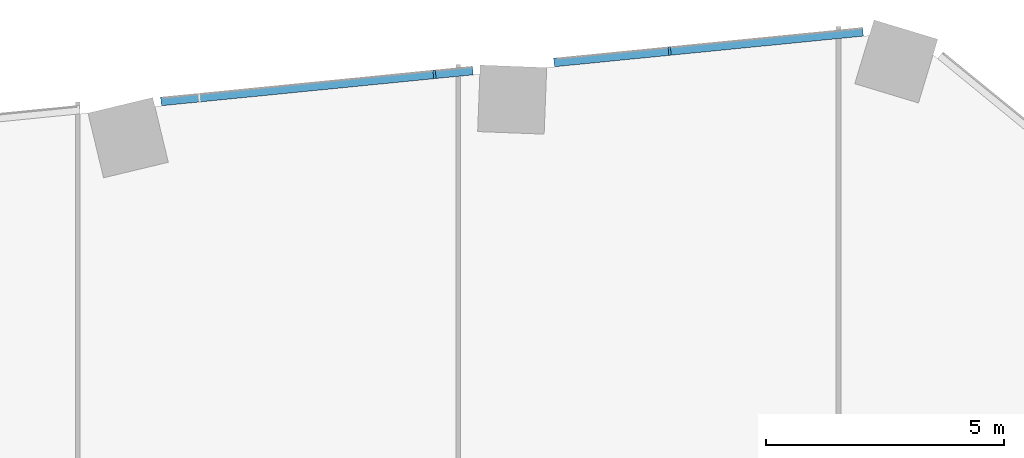
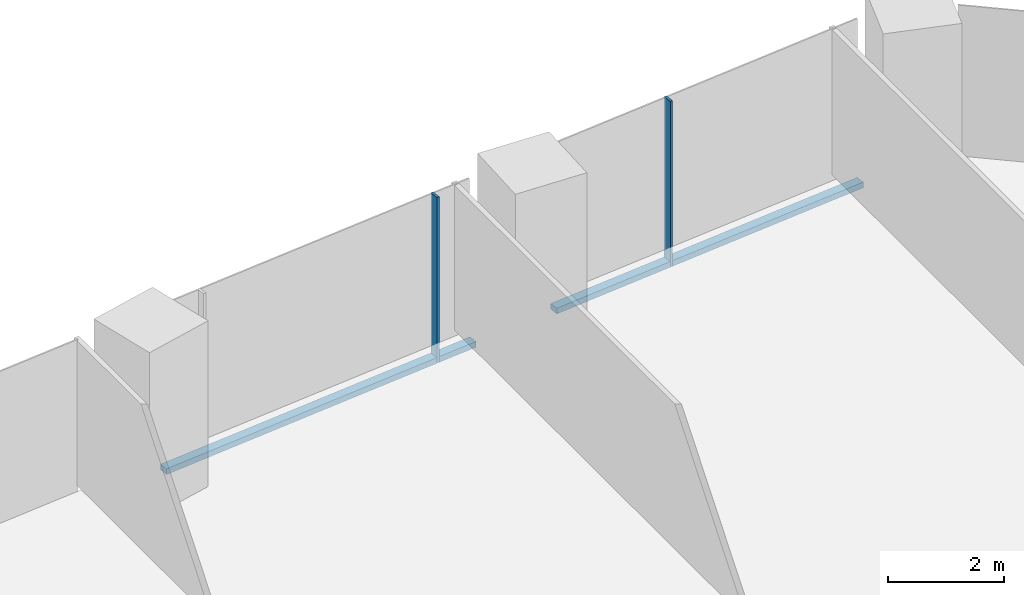
# One storey, part 13 of 34: 4 members, 1 element without a shape of its own.
"""IFC4 building model written with IfcOpenShell, lengths in metres."""

from ifc_helpers import new_model, si_unit, direction, frame, origin, origin_2d, place, context, subcontext, project, spatial, rectangle, extrude, material, material_profile, profile_set, type_object, element, aggregate, save


model = new_model("IFC4")

# Units and contexts
model_context = context("Model", 3, precision=1e-05, world=origin(), true_north=direction((0.0, 1.0)))
body_context = subcontext(model_context, "Body", "Model", "MODEL_VIEW")
ifc_project = project(units=[si_unit("LENGTHUNIT", "METRE"), si_unit("AREAUNIT", "SQUARE_METRE"), si_unit("VOLUMEUNIT", "CUBIC_METRE"), si_unit("PLANEANGLEUNIT", "RADIAN"), si_unit("MASSUNIT", "GRAM", prefix="KILO")], contexts=[model_context])

# Site, building, storey
site_placement = place(None, origin())
site = spatial("IfcSite", under=ifc_project, at=site_placement, CompositionType="ELEMENT")
building_placement = place(site_placement, origin())
building = spatial("IfcBuilding", under=site, at=building_placement, Name="Orlundy Tower", CompositionType="ELEMENT")
storey_placement = place(building_placement, frame((0.0, 0.0, 44.300048828125)))
storey = spatial("IfcBuildingStorey", under=building, at=storey_placement, Name="L09", CompositionType="ELEMENT", Elevation=44.300048828125)

# Curtain wall, members
ifc_material_1 = material(Name="Aluminium bronze anodised", Category="aluminium")
curtain_wall_type = type_object("IfcCurtainWallType", Name="CW1 wall", PredefinedType="NOTDEFINED", material=ifc_material_1)
curtain_wall_placement = place(storey_placement, origin())
curtain_wall = element("IfcCurtainWall", 1, at=curtain_wall_placement, inside=storey, type_object=curtain_wall_type, Name="CW1 run 03", PredefinedType="NOTDEFINED")
ifc_material_2 = material(Name="Aluminium bronze anodised", Category="aluminium")
ifc_material_profile_1 = material_profile(ifc_material_2, rectangle(XDim=0.179931640625, YDim=0.050048828125, at=origin_2d()), Name="CW1 mullion 50x180")
ifc_profile_set_1 = profile_set([ifc_material_profile_1], Name="Aluminium bronze anodised")
member_type_1 = type_object("IfcMemberType", Name="CW1 mullion 50x180", PredefinedType="MULLION", material=ifc_profile_set_1)
member_1_placement = place(storey_placement, frame((-0.498291015625, 30.18798828125, -0.420166015625), z_axis=(0.0, 0.0, 1.0), x_axis=(-0.098742763424, 0.995112991912, 0.0)))
member_1 = element("IfcMember", 2, at=member_1_placement, type_object=member_type_1, Name="CW1 mullion 17", PredefinedType="MULLION", context=body_context, shape_type="SweptSolid", body=[
    extrude(rectangle(XDim=0.179931640625, YDim=0.050048828125, at=origin_2d()), origin(), (0.0, 0.0, 1.0), 3.5),
])
member_2_placement = place(storey_placement, frame((4.447998046875, 30.6787109375, -0.420166015625), z_axis=(0.0, 0.0, 1.0), x_axis=(-0.098742763424, 0.995112991912, 0.0)))
member_2 = element("IfcMember", 3, at=member_2_placement, type_object=member_type_1, Name="CW1 mullion 18", PredefinedType="MULLION", context=body_context, shape_type="SweptSolid", body=[
    extrude(rectangle(XDim=0.179931640625, YDim=0.050048828125, at=origin_2d()), origin(), (0.0, 0.0, 1.0), 3.5),
])
ifc_material_3 = material(Name="Aluminium bronze anodised", Category="aluminium")
ifc_material_profile_2 = material_profile(ifc_material_3, rectangle(XDim=0.179931640625, YDim=0.1201171875, at=origin_2d()), Name="CW1 transom 180x120")
ifc_profile_set_2 = profile_set([ifc_material_profile_2], Name="Aluminium bronze anodised")
member_type_2 = type_object("IfcMemberType", Name="CW1 transom 180x120", PredefinedType="USERDEFINED", material=ifc_profile_set_2)
member_3_placement = place(storey_placement, frame((-6.2509765625, 29.6171875, -0.360107421875), z_axis=(0.995113533405, 0.098737306191, 0.0), x_axis=(-0.098737306191, 0.995113533405, 0.0)))
member_3 = element("IfcMember", 4, at=member_3_placement, type_object=member_type_2, Name="CW1 transom", ObjectType="TRANSOM", PredefinedType="USERDEFINED", context=body_context, shape_type="SweptSolid", body=[
    extrude(rectangle(XDim=0.179931640625, YDim=0.1201171875, at=origin_2d()), origin(), (0.0, 0.0, 1.0), 6.592041015625),
])
member_4_placement = place(storey_placement, frame((2.0166015625, 30.4375, -0.360107421875), z_axis=(0.995114612043, 0.098726434651, 0.0), x_axis=(-0.098726434651, 0.995114612043, 0.0)))
member_4 = element("IfcMember", 5, at=member_4_placement, type_object=member_type_2, Name="CW1 transom", ObjectType="TRANSOM", PredefinedType="USERDEFINED", context=body_context, shape_type="SweptSolid", body=[
    extrude(rectangle(XDim=0.179931640625, YDim=0.1201171875, at=origin_2d()), origin(), (0.0, 0.0, 1.0), 6.531005859375),
])
aggregate(curtain_wall, [member_1, member_2, member_3, member_4])

save(model, "model.ifc")
